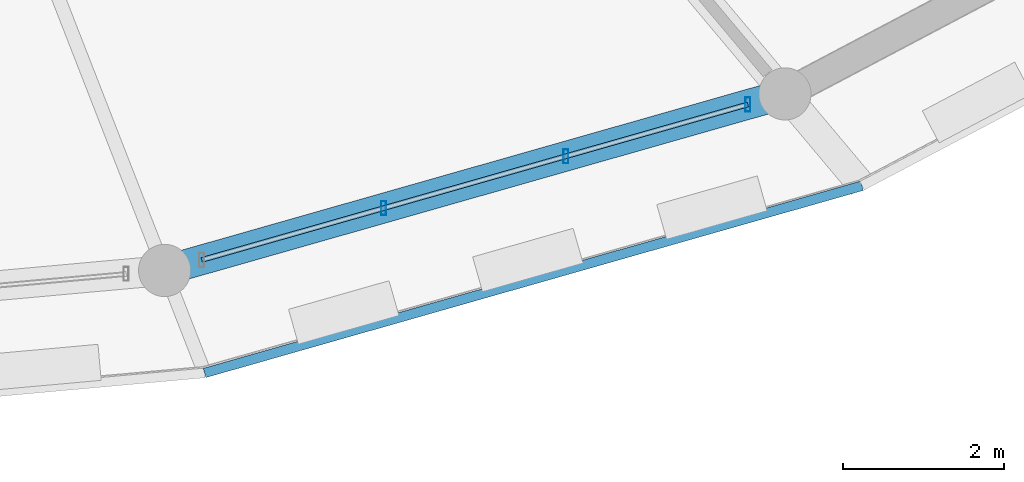
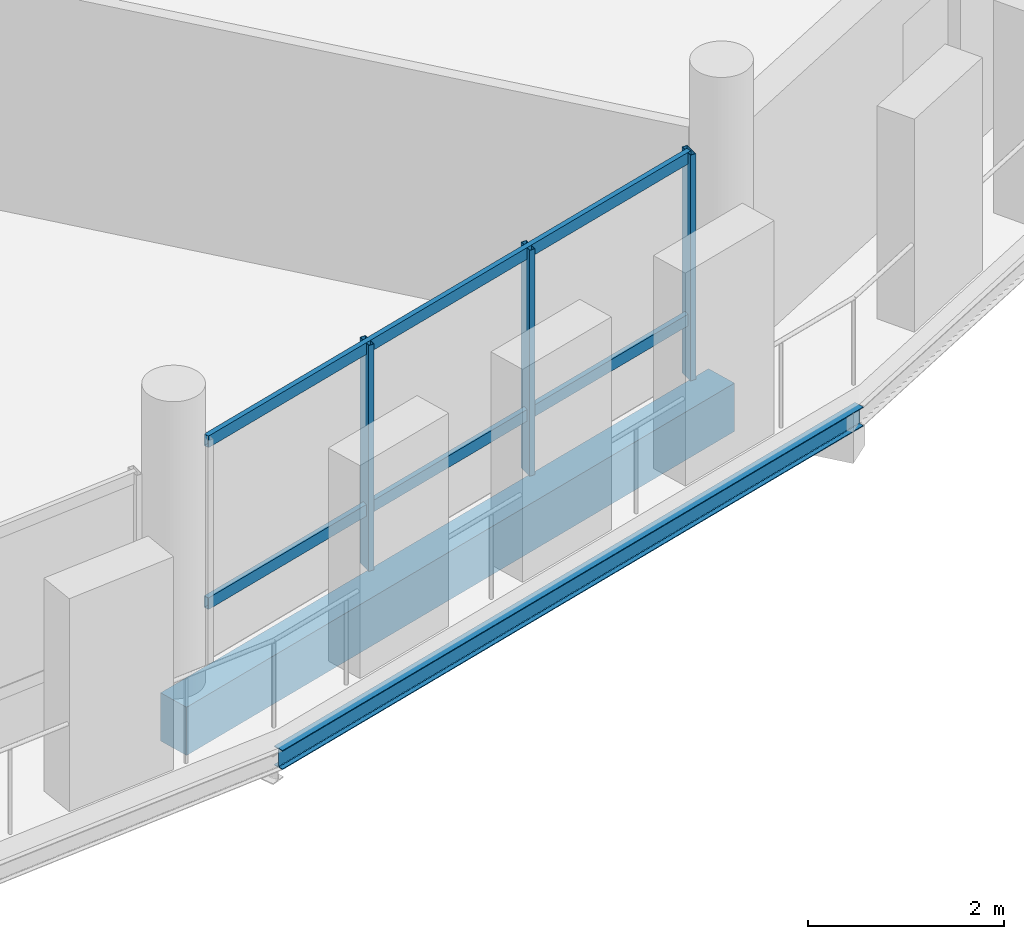
# One storey, part 32 of 84: 5 members, 2 beams, 1 element without a shape of its own.
"""IFC4 building model written with IfcOpenShell, lengths in metres."""

import ifcopenshell
import ifcopenshell.guid

model = None  # the IFC model being written
_history = None  # IfcOwnerHistory: only IFC2X3 demands one
_inside = {}  # id of a spatial element -> (the spatial element, [elements in it])
_under = {}  # id of a project, library or spatial element -> (it, [spatial elements below it])
_declared = {}  # id of a project -> (the project, [libraries it declares])
_typed = {}  # id of a type object -> (the type object, [elements of that type])
_made_of = {}  # id of a material, layer set ... -> (it, [elements and type objects made of it])


def new_model(schema):
    """Start an empty IFC model of exactly this schema.

    Asked for "IFC4X3", IfcOpenShell would pick the latest addendum, in which some entities
    have other attributes; the version numbers below select the first issue.
    IFC2X3 requires an IfcOwnerHistory on every rooted entity: one is made here for all.
    """
    global model, _history
    if schema == "IFC4X3":
        model = ifcopenshell.file(schema_version=(4, 3, 0, 0))
    else:
        model = ifcopenshell.file(schema=schema)
    _inside.clear()
    _under.clear()
    _declared.clear()
    _typed.clear()
    _made_of.clear()
    _history = None
    if model.schema == "IFC2X3":
        org = make("IfcOrganization", Name="unknown")
        user = make(
            "IfcPersonAndOrganization",
            ThePerson=make("IfcPerson", FamilyName="unknown"),
            TheOrganization=org,
        )
        app = make(
            "IfcApplication",
            ApplicationDeveloper=org,
            Version="unknown",
            ApplicationFullName="unknown",
            ApplicationIdentifier="unknown",
        )
        _history = make(
            "IfcOwnerHistory",
            OwningUser=user,
            OwningApplication=app,
            ChangeAction="ADDED",
            CreationDate=0,
        )
    return model


def make(cls, **values):
    """One entity of the class cls with the attributes given. An attribute that is None is left unset."""
    return model.create_entity(
        cls, **{name: value for name, value in values.items() if value is not None}
    )


def rooted(cls, **values):
    """An entity with a GlobalId (a new one), such as an element, a storey or a relation."""
    return make(cls, GlobalId=ifcopenshell.guid.new(), OwnerHistory=_history, **values)


def si_unit(unit_type, name, prefix=None):
    """IfcSIUnit, for example si_unit("LENGTHUNIT", "METRE", prefix="MILLI")."""
    return make("IfcSIUnit", UnitType=unit_type, Prefix=prefix, Name=name)


def assignment(units):
    """IfcUnitAssignment: the units of a project."""
    return None if units is None else make("IfcUnitAssignment", Units=units)


def point(xyz):
    """IfcCartesianPoint."""
    return None if xyz is None else make("IfcCartesianPoint", Coordinates=xyz)


def direction(xyz):
    """IfcDirection."""
    return None if xyz is None else make("IfcDirection", DirectionRatios=xyz)


def frame(location, z_axis=None, x_axis=None):
    """IfcAxis2Placement3D, a coordinate frame: its origin and axes. An axis left out is left unset."""
    return make(
        "IfcAxis2Placement3D",
        Location=point(location),
        Axis=direction(z_axis),
        RefDirection=direction(x_axis),
    )


def frame_2d(location, x_axis=None):
    """IfcAxis2Placement2D, a coordinate frame in the plane: its origin and x axis."""
    return make(
        "IfcAxis2Placement2D", Location=point(location), RefDirection=direction(x_axis)
    )


def origin():
    """The frame at (0, 0, 0) with its axes left unset."""
    return frame((0.0, 0.0, 0.0))


def origin_2d():
    """The frame at (0, 0) in the plane with its x axis left unset."""
    return frame_2d((0.0, 0.0))


def place(relative_to, where):
    """IfcLocalPlacement: puts the frame where relative to a parent placement (None: the world)."""
    return make(
        "IfcLocalPlacement", PlacementRelTo=relative_to, RelativePlacement=where
    )


def context(
    kind, dimensions, precision=None, world=None, true_north=None, identifier=None
):
    """IfcGeometricRepresentationContext, for example the 3D "Model" context."""
    return make(
        "IfcGeometricRepresentationContext",
        ContextIdentifier=identifier,
        ContextType=kind,
        CoordinateSpaceDimension=dimensions,
        Precision=precision,
        WorldCoordinateSystem=world,
        TrueNorth=true_north,
    )


def subcontext(parent, identifier, kind, view, scale=None):
    """IfcGeometricRepresentationSubContext, for example "Body" below "Model"."""
    return make(
        "IfcGeometricRepresentationSubContext",
        ContextIdentifier=identifier,
        ContextType=kind,
        ParentContext=parent,
        TargetScale=scale,
        TargetView=view,
    )


def project(units=None, contexts=None):
    """IfcProject with its units and contexts."""
    return rooted(
        "IfcProject",
        Name="project",
        RepresentationContexts=contexts,
        UnitsInContext=assignment(units),
    )


def spatial(cls, under=None, at=None, **own):
    """A site, building, storey or space (cls), placed at a placement, below another one or the project."""
    s = rooted(cls, ObjectPlacement=at, **own)
    if under is not None:
        _under.setdefault(under.id(), (under, []))[1].append(s)
    return s


def profile(cls, at=None, kind="AREA", **sizes):
    """A parametric profile (cls). Its sizes go by their IFC names, for example OverallWidth=200.0."""
    return make(cls, ProfileType=kind, Position=at, **sizes)


def rectangle(**sizes):
    """IfcRectangleProfileDef."""
    return profile("IfcRectangleProfileDef", **sizes)


def hollow_rectangle(**sizes):
    """IfcRectangleHollowProfileDef."""
    return profile("IfcRectangleHollowProfileDef", **sizes)


def i_section(**sizes):
    """IfcIShapeProfileDef."""
    return profile("IfcIShapeProfileDef", **sizes)


def extrude(swept, where, along, depth):
    """IfcExtrudedAreaSolid: the profile swept, set in the frame where, extruded along a direction by depth."""
    return make(
        "IfcExtrudedAreaSolid",
        SweptArea=swept,
        Position=where,
        ExtrudedDirection=direction(along),
        Depth=depth,
    )


def shape(context_of_items, identifier, shape_type, items):
    """IfcShapeRepresentation: the items that make up one representation, for example the "Body"."""
    return make(
        "IfcShapeRepresentation",
        ContextOfItems=context_of_items,
        RepresentationIdentifier=identifier,
        RepresentationType=shape_type,
        Items=items,
    )


def material(Name=None, Category=None):
    """IfcMaterial."""
    return make("IfcMaterial", Name=Name, Category=Category)


def material_profile(
    of_material, cross_section, Name=None, Category=None, Priority=None
):
    """IfcMaterialProfile: a cross section and its material."""
    return make(
        "IfcMaterialProfile",
        Name=Name,
        Material=of_material,
        Profile=cross_section,
        Priority=Priority,
        Category=Category,
    )


def profile_set(profiles, Name=None, composite=None):
    """IfcMaterialProfileSet."""
    return make(
        "IfcMaterialProfileSet",
        Name=Name,
        MaterialProfiles=profiles,
        CompositeProfile=composite,
    )


def made_of(thing, what):
    """Note that an element or type object is made of a material, layer set ...; save() writes the relation."""
    if what is not None:
        _made_of.setdefault(what.id(), (what, []))[1].append(thing)
    return thing


def type_object(cls, material=None, **own):
    """A type object (cls), such as IfcWallType, which elements share."""
    return made_of(rooted(cls, **own), material)


def element(
    cls,
    number,
    at=None,
    inside=None,
    cuts=None,
    type_object=None,
    material=None,
    context=None,
    identifier="Body",
    shape_type=None,
    held_by="IfcProductDefinitionShape",
    body=None,
    shapes=None,
    **own,
):
    """One element of the class cls, such as IfcWall. Its Tag is "e" and its number.

    at: its placement. inside: the storey or other place that contains it. cuts: it is an
    opening in that element (IfcRelVoidsElement). A single representation is given by context,
    identifier, shape_type and body (its items); several are given by shapes. held_by: the class
    of the entity that holds the representations. save() writes the other relations.
    """
    e = rooted(cls, Tag="e%d" % number, ObjectPlacement=at, **own)
    if body is not None:
        shapes = [shape(context, identifier, shape_type, body)]
    if shapes is not None:
        e.Representation = make(held_by, Representations=shapes)
    if inside is not None:
        _inside.setdefault(inside.id(), (inside, []))[1].append(e)
    if cuts is not None:
        rooted(
            "IfcRelVoidsElement", RelatingBuildingElement=cuts, RelatedOpeningElement=e
        )
    if type_object is not None:
        _typed.setdefault(type_object.id(), (type_object, []))[1].append(e)
    return made_of(e, material)


def aggregate(whole, parts):
    """IfcRelAggregates: a whole, such as a stair, and the parts it consists of."""
    return rooted("IfcRelAggregates", RelatingObject=whole, RelatedObjects=parts)


def save(model, path):
    """Write the relations noted so far, then the file.

    IfcRelAggregates (storeys below a building ...), IfcRelContainedInSpatialStructure (elements
    in a storey), IfcRelDefinesByType, IfcRelAssociatesMaterial and IfcRelDeclares: one each for
    every whole, place, type object, material and project.
    """
    for whole, parts in _under.values():
        aggregate(whole, parts)
    for where, things in _inside.values():
        rooted(
            "IfcRelContainedInSpatialStructure",
            RelatedElements=things,
            RelatingStructure=where,
        )
    for kind, things in _typed.values():
        rooted("IfcRelDefinesByType", RelatedObjects=things, RelatingType=kind)
    for what, things in _made_of.values():
        rooted("IfcRelAssociatesMaterial", RelatedObjects=things, RelatingMaterial=what)
    for by, libraries in _declared.values():
        rooted("IfcRelDeclares", RelatingContext=by, RelatedDefinitions=libraries)
    model.write(path)


model = new_model("IFC4")

# Units and contexts
model_context = context("Model", 3, precision=1e-05, world=origin(), true_north=direction((0.0, 1.0)))
body_context = subcontext(model_context, "Body", "Model", "MODEL_VIEW")
ifc_project = project(units=[si_unit("LENGTHUNIT", "METRE"), si_unit("AREAUNIT", "SQUARE_METRE"), si_unit("VOLUMEUNIT", "CUBIC_METRE"), si_unit("PLANEANGLEUNIT", "RADIAN"), si_unit("MASSUNIT", "GRAM", prefix="KILO")], contexts=[model_context])

# Site, building, storey
site_placement = place(None, origin())
site = spatial("IfcSite", under=ifc_project, at=site_placement, CompositionType="ELEMENT")
building_placement = place(site_placement, origin())
building = spatial("IfcBuilding", under=site, at=building_placement, Name="Zornivar Specialist Clinic", CompositionType="ELEMENT")
storey_placement = place(building_placement, frame((0.0, 0.0, 12.300048828125)))
storey = spatial("IfcBuildingStorey", under=building, at=storey_placement, Name="L03", CompositionType="ELEMENT", Elevation=12.300048828125)

# Beams
ifc_material_1 = material(Name="Concrete C30/37", Category="concrete")
ifc_material_profile_1 = material_profile(ifc_material_1, rectangle(XDim=0.3701171875, YDim=0.60009765625, at=origin_2d()), Name="RC 370x600")
ifc_profile_set_1 = profile_set([ifc_material_profile_1], Name="Concrete C30/37")
beam_type_1 = type_object("IfcBeamType", Name="BM-RC-SPANDREL-370x600", PredefinedType="SPANDREL", material=ifc_profile_set_1)
beam_1_placement = place(storey_placement, frame((101.882080078125, 36.35009765625, -0.5400390625), z_axis=(0.961790992591, 0.273784744957, 0.0), x_axis=(-0.273784744957, 0.961790992591, 0.0)))
element("IfcBeam", 1, at=beam_1_placement, inside=storey, type_object=beam_type_1, Name="bm:V1:L03:outring:19", PredefinedType="SPANDREL", context=body_context, shape_type="SweptSolid", body=[
    extrude(rectangle(XDim=0.3701171875, YDim=0.60009765625, at=origin_2d()), origin(), (0.0, 0.0, 1.0), 8.024658203125),
])
ifc_material_2 = material(Name="Steel S355J2", Category="steel")
ifc_material_profile_2 = material_profile(ifc_material_2, i_section(OverallWidth=0.1201171875, OverallDepth=0.239990234375, WebThickness=0.006103515625, FlangeThickness=0.009765625, FilletRadius=0.014892578125, at=origin_2d()), Name="IPE 240")
ifc_profile_set_2 = profile_set([ifc_material_profile_2], Name="Steel S355J2")
beam_type_2 = type_object("IfcBeamType", Name="BM-STL-IPE240", PredefinedType="JOIST", material=ifc_profile_set_2)
beam_2_placement = place(storey_placement, frame((102.37890625, 35.074951171875, -0.360107421875), z_axis=(0.961783454314, 0.273811225131, 0.0), x_axis=(-0.273811225131, 0.961783454314, 0.0)))
element("IfcBeam", 2, at=beam_2_placement, inside=storey, type_object=beam_type_2, Name="bm:V1:L03:balring:19", PredefinedType="JOIST", context=body_context, shape_type="SweptSolid", body=[
    extrude(i_section(OverallWidth=0.1201171875, OverallDepth=0.239990234375, WebThickness=0.006103515625, FlangeThickness=0.009765625, FilletRadius=0.014892578125, at=origin_2d()), origin(), (0.0, 0.0, 1.0), 8.50634765625),
])

# Curtain wall, members
ifc_material_3 = material(Name="Aluminium and Low-E Glass Curtain Wall", Category="aluminium")
curtain_wall_type = type_object("IfcCurtainWallType", Name="CW-DRUM-FACET", PredefinedType="NOTDEFINED", material=ifc_material_3)
curtain_wall_placement = place(storey_placement, origin())
curtain_wall = element("IfcCurtainWall", 3, at=curtain_wall_placement, inside=storey, type_object=curtain_wall_type, Name="cw:V1:L03:c19", PredefinedType="NOTDEFINED")
ifc_material_4 = material(Name="Aluminium AW-6060", Category="aluminium")
ifc_material_profile_3 = material_profile(ifc_material_4, hollow_rectangle(XDim=0.06494140625, YDim=0.175048828125, WallThickness=0.00439453125, at=origin_2d()), Name="ALU 65x175x4.5")
ifc_profile_set_3 = profile_set([ifc_material_profile_3], Name="Aluminium AW-6060")
member_type_1 = type_object("IfcMemberType", Name="CWM-MUL-175", PredefinedType="MULLION", material=ifc_profile_set_3)
member_1_placement = place(storey_placement, frame((104.60791015625, 37.1259765625, 0.0), z_axis=(0.0, 0.0, 1.0), x_axis=(1.0, 0.0, 0.0)))
member_1 = element("IfcMember", 4, at=member_1_placement, type_object=member_type_1, Name="cw:V1:L03:c19:mul:1", PredefinedType="MULLION", context=body_context, shape_type="SweptSolid", body=[
    extrude(hollow_rectangle(XDim=0.06494140625, YDim=0.175048828125, WallThickness=0.00439453125, at=origin_2d()), origin(), (0.0, 0.0, 1.0), 2.81005859375),
])
member_2_placement = place(storey_placement, frame((106.8740234375, 37.77001953125, 0.0), z_axis=(0.0, 0.0, 1.0), x_axis=(1.0, 0.0, 0.0)))
member_2 = element("IfcMember", 5, at=member_2_placement, type_object=member_type_1, Name="cw:V1:L03:c19:mul:2", PredefinedType="MULLION", context=body_context, shape_type="SweptSolid", body=[
    extrude(hollow_rectangle(XDim=0.06494140625, YDim=0.175048828125, WallThickness=0.00439453125, at=origin_2d()), origin(), (0.0, 0.0, 1.0), 2.81005859375),
])
member_3_placement = place(storey_placement, frame((109.138916015625, 38.4150390625, 0.0), z_axis=(0.0, 0.0, 1.0), x_axis=(1.0, 0.0, 0.0)))
member_3 = element("IfcMember", 6, at=member_3_placement, type_object=member_type_1, Name="cw:V1:L03:c19:mul:3", PredefinedType="MULLION", context=body_context, shape_type="SweptSolid", body=[
    extrude(hollow_rectangle(XDim=0.06494140625, YDim=0.175048828125, WallThickness=0.00439453125, at=origin_2d()), origin(), (0.0, 0.0, 1.0), 2.81005859375),
])
ifc_material_5 = material(Name="Aluminium AW-6060", Category="aluminium")
ifc_material_profile_4 = material_profile(ifc_material_5, hollow_rectangle(XDim=0.06005859375, YDim=0.14501953125, WallThickness=0.00390625, at=origin_2d()), Name="ALU 60x145x4")
ifc_profile_set_4 = profile_set([ifc_material_profile_4], Name="Aluminium AW-6060")
member_type_2 = type_object("IfcMemberType", Name="CWM-TRN-145", PredefinedType="USERDEFINED", material=ifc_profile_set_4)
member_4_placement = place(storey_placement, frame((102.343017578125, 36.48095703125, 0.73095703125), z_axis=(0.961771283353, 0.27385397298, 0.0), x_axis=(-0.27385397298, 0.961771283353, 0.0)))
member_4 = element("IfcMember", 7, at=member_4_placement, type_object=member_type_2, Name="cw:V1:L03:c19:trn:0", ObjectType="TRANSOM", PredefinedType="USERDEFINED", context=body_context, shape_type="SweptSolid", body=[
    extrude(hollow_rectangle(XDim=0.06005859375, YDim=0.14501953125, WallThickness=0.00390625, at=origin_2d()), origin(), (0.0, 0.0, 1.0), 7.06591796875),
])
member_5_placement = place(storey_placement, frame((102.343017578125, 36.48095703125, 2.744873046875), z_axis=(0.961771283353, 0.27385397298, 0.0), x_axis=(-0.27385397298, 0.961771283353, 0.0)))
member_5 = element("IfcMember", 8, at=member_5_placement, type_object=member_type_2, Name="cw:V1:L03:c19:trn:1", ObjectType="TRANSOM", PredefinedType="USERDEFINED", context=body_context, shape_type="SweptSolid", body=[
    extrude(hollow_rectangle(XDim=0.06005859375, YDim=0.14501953125, WallThickness=0.00390625, at=origin_2d()), origin(), (0.0, 0.0, 1.0), 7.06591796875),
])
aggregate(curtain_wall, [member_1, member_2, member_3, member_4, member_5])

save(model, "model.ifc")
